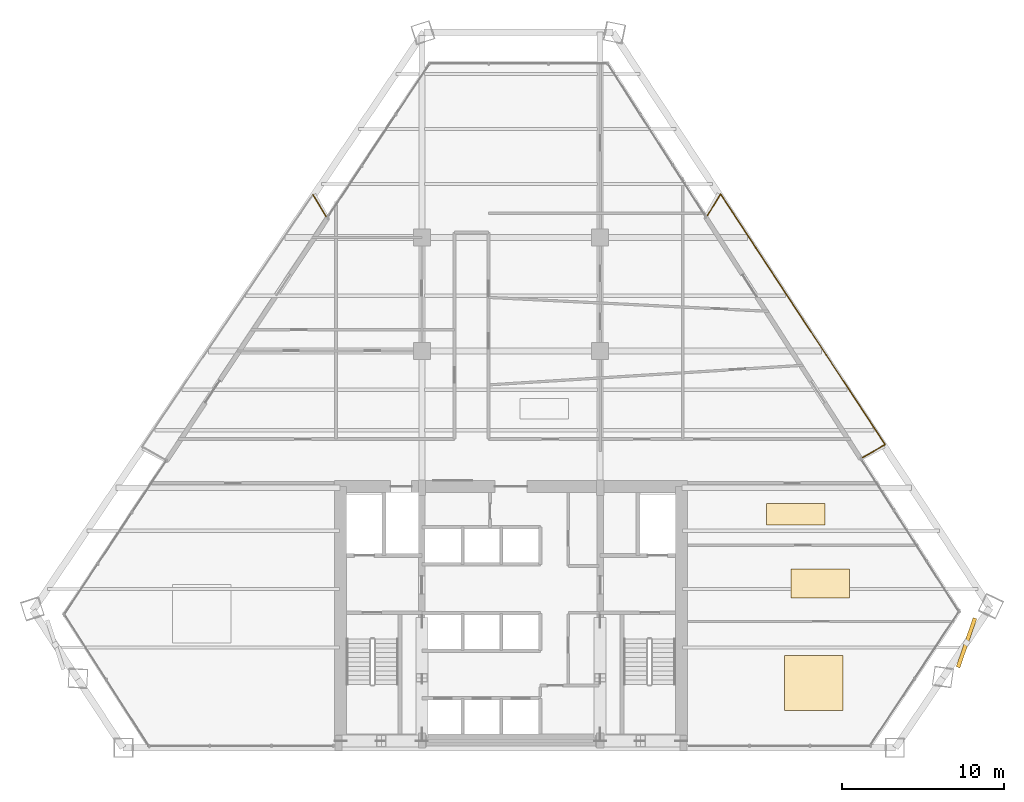
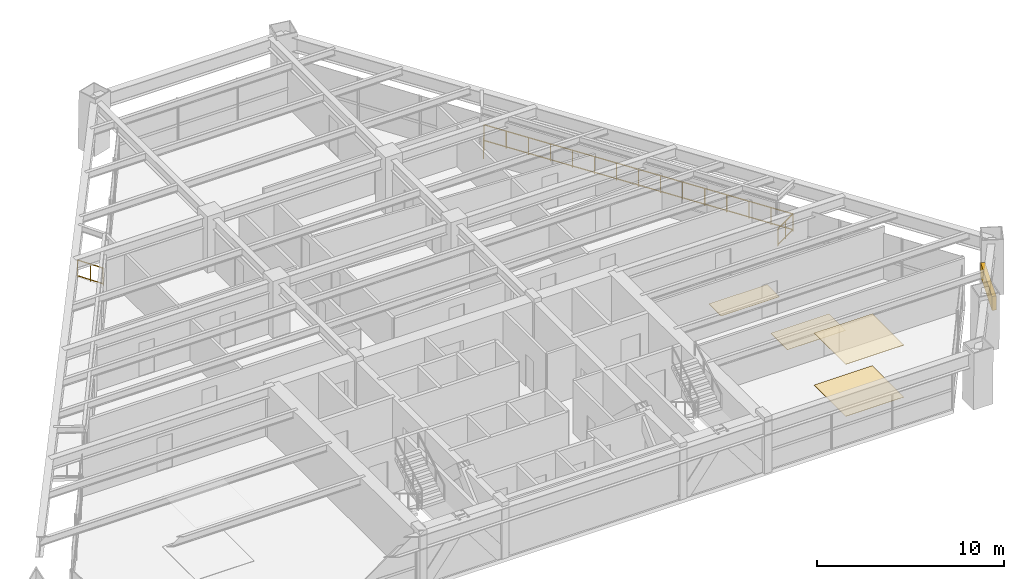
# One storey, part 14 of 14: 4 coverings, 4 railings, 1 shading device.
"""IFC4 building model written with IfcOpenShell, lengths in metres."""

from ifc_helpers import new_model, si_unit, direction, frame, origin, origin_2d, place, context, subcontext, project, spatial, rectangle, extrude, source, transform, mapped, material, layer, layer_set, type_object, type_shapes, element, save


model = new_model("IFC4")

# Units and contexts
model_context = context("Model", 3, precision=1e-05, world=origin(), true_north=direction((0.0, 1.0)))
body_context = subcontext(model_context, "Body", "Model", "MODEL_VIEW")
ifc_project = project(units=[si_unit("LENGTHUNIT", "METRE"), si_unit("AREAUNIT", "SQUARE_METRE"), si_unit("VOLUMEUNIT", "CUBIC_METRE"), si_unit("PLANEANGLEUNIT", "RADIAN"), si_unit("MASSUNIT", "GRAM", prefix="KILO")], contexts=[model_context])

# Site, building, storey
site_placement = place(None, origin())
site = spatial("IfcSite", under=ifc_project, at=site_placement, CompositionType="ELEMENT")
building_placement = place(site_placement, origin())
building = spatial("IfcBuilding", under=site, at=building_placement, Name="Varnakhor Terracotta Tower", CompositionType="ELEMENT")
storey_placement = place(building_placement, frame((0.0, 0.0, 117.300048828125)))
storey = spatial("IfcBuildingStorey", under=building, at=storey_placement, Name="L29", CompositionType="ELEMENT", Elevation=117.300048828125)

# Railings
ifc_material_1 = material(Name="Stainless Steel & Laminated Glass Guardrail", Category="steel")
railing_type = type_object("IfcRailingType", Name="RLG-LOGGIA-GUARD-1150", PredefinedType="GUARDRAIL", material=ifc_material_1)
railing_1_placement = place(storey_placement, frame((12.125732421875, 32.847900390625, 0.0)))
element("IfcRailing", 1, at=railing_1_placement, inside=storey, type_object=railing_type, Name="L29 E Loggia Glass Guard 1", PredefinedType="GUARDRAIL", context=body_context, shape_type="SweptSolid", body=[
    extrude(rectangle(XDim=0.048095703125, YDim=0.048095703125, at=origin_2d()), frame((0.0, 0.0, 1.1259765625), z_axis=(0.517871943117, 0.855458152414, 0.0), x_axis=(-0.855458152414, 0.517871943117, 0.0)), (0.0, 0.0, 1.0), 1.561279296875),
    extrude(rectangle(XDim=0.048095703125, YDim=0.048095703125, at=origin_2d()), frame((0.0, 0.0, 0.10009765625), z_axis=(0.517871943117, 0.855458152414, 0.0), x_axis=(-0.855458152414, 0.517871943117, 0.0)), (0.0, 0.0, 1.0), 1.561279296875),
    extrude(rectangle(XDim=0.0419921875, YDim=0.0419921875, at=origin_2d()), origin(), (0.0, 0.0, 1.0), 1.101806640625),
    extrude(rectangle(XDim=0.0419921875, YDim=0.0419921875, at=origin_2d()), frame((0.404296875, 0.66796875, 0.0)), (0.0, 0.0, 1.0), 1.101806640625),
    extrude(rectangle(XDim=0.0419921875, YDim=0.0419921875, at=origin_2d()), frame((0.80859375, 1.335693359375, 0.0)), (0.0, 0.0, 1.0), 1.101806640625),
])
railing_2_placement = place(storey_placement, frame((12.934326171875, 34.18359375, 0.0)))
element("IfcRailing", 2, at=railing_2_placement, inside=storey, type_object=railing_type, Name="L29 E Loggia Glass Guard 2", PredefinedType="GUARDRAIL", context=body_context, shape_type="SweptSolid", body=[
    extrude(rectangle(XDim=0.048095703125, YDim=0.048095703125, at=origin_2d()), frame((0.0, 0.0, 1.1259765625), z_axis=(0.548751831016, -0.835985303672, 0.0), x_axis=(0.835985303672, 0.548751831016, 0.0)), (0.0, 0.0, 1.0), 18.50390625),
    extrude(rectangle(XDim=0.048095703125, YDim=0.048095703125, at=origin_2d()), frame((0.0, 0.0, 0.10009765625), z_axis=(0.548751831016, -0.835985303672, 0.0), x_axis=(0.835985303672, 0.548751831016, 0.0)), (0.0, 0.0, 1.0), 18.50390625),
    extrude(rectangle(XDim=0.0419921875, YDim=0.0419921875, at=origin_2d()), origin(), (0.0, 0.0, 1.0), 1.101806640625),
    extrude(rectangle(XDim=0.0419921875, YDim=0.0419921875, at=origin_2d()), frame((0.725341796875, -1.10498046875, 0.0)), (0.0, 0.0, 1.0), 1.101806640625),
    extrude(rectangle(XDim=0.0419921875, YDim=0.0419921875, at=origin_2d()), frame((1.45068359375, -2.2099609375, 0.0)), (0.0, 0.0, 1.0), 1.101806640625),
    extrude(rectangle(XDim=0.0419921875, YDim=0.0419921875, at=origin_2d()), frame((2.17578125, -3.314697265625, 0.0)), (0.0, 0.0, 1.0), 1.101806640625),
    extrude(rectangle(XDim=0.0419921875, YDim=0.0419921875, at=origin_2d()), frame((2.901123046875, -4.419677734375, 0.0)), (0.0, 0.0, 1.0), 1.101806640625),
    extrude(rectangle(XDim=0.0419921875, YDim=0.0419921875, at=origin_2d()), frame((3.62646484375, -5.524658203125, 0.0)), (0.0, 0.0, 1.0), 1.101806640625),
    extrude(rectangle(XDim=0.0419921875, YDim=0.0419921875, at=origin_2d()), frame((4.351806640625, -6.629638671875, 0.0)), (0.0, 0.0, 1.0), 1.101806640625),
    extrude(rectangle(XDim=0.0419921875, YDim=0.0419921875, at=origin_2d()), frame((5.0771484375, -7.734375, 0.0)), (0.0, 0.0, 1.0), 1.101806640625),
    extrude(rectangle(XDim=0.0419921875, YDim=0.0419921875, at=origin_2d()), frame((5.80224609375, -8.83935546875, 0.0)), (0.0, 0.0, 1.0), 1.101806640625),
    extrude(rectangle(XDim=0.0419921875, YDim=0.0419921875, at=origin_2d()), frame((6.527587890625, -9.9443359375, 0.0)), (0.0, 0.0, 1.0), 1.101806640625),
    extrude(rectangle(XDim=0.0419921875, YDim=0.0419921875, at=origin_2d()), frame((7.2529296875, -11.04931640625, 0.0)), (0.0, 0.0, 1.0), 1.101806640625),
    extrude(rectangle(XDim=0.0419921875, YDim=0.0419921875, at=origin_2d()), frame((7.978271484375, -12.154296875, 0.0)), (0.0, 0.0, 1.0), 1.101806640625),
    extrude(rectangle(XDim=0.0419921875, YDim=0.0419921875, at=origin_2d()), frame((8.703369140625, -13.259033203125, 0.0)), (0.0, 0.0, 1.0), 1.101806640625),
    extrude(rectangle(XDim=0.0419921875, YDim=0.0419921875, at=origin_2d()), frame((9.4287109375, -14.364013671875, 0.0)), (0.0, 0.0, 1.0), 1.101806640625),
    extrude(rectangle(XDim=0.0419921875, YDim=0.0419921875, at=origin_2d()), frame((10.154052734375, -15.468994140625, 0.0)), (0.0, 0.0, 1.0), 1.101806640625),
])
railing_3_placement = place(storey_placement, frame((23.08837890625, 18.714599609375, 0.0)))
element("IfcRailing", 3, at=railing_3_placement, inside=storey, type_object=railing_type, Name="L29 E Loggia Glass Guard 3", PredefinedType="GUARDRAIL", context=body_context, shape_type="SweptSolid", body=[
    extrude(rectangle(XDim=0.048095703125, YDim=0.048095703125, at=origin_2d()), frame((0.0, 0.0, 1.1259765625), z_axis=(-0.865429757765, -0.501030272912, 0.0), x_axis=(0.501030272912, -0.865429757765, 0.0)), (0.0, 0.0, 1.0), 1.6044921875),
    extrude(rectangle(XDim=0.048095703125, YDim=0.048095703125, at=origin_2d()), frame((0.0, 0.0, 0.10009765625), z_axis=(-0.865429757765, -0.501030272912, 0.0), x_axis=(0.501030272912, -0.865429757765, 0.0)), (0.0, 0.0, 1.0), 1.6044921875),
    extrude(rectangle(XDim=0.0419921875, YDim=0.0419921875, at=origin_2d()), origin(), (0.0, 0.0, 1.0), 1.101806640625),
    extrude(rectangle(XDim=0.0419921875, YDim=0.0419921875, at=origin_2d()), frame((-0.6943359375, -0.40185546875, 0.0)), (0.0, 0.0, 1.0), 1.101806640625),
    extrude(rectangle(XDim=0.0419921875, YDim=0.0419921875, at=origin_2d()), frame((-1.388671875, -0.803955078125, 0.0)), (0.0, 0.0, 1.0), 1.101806640625),
])
railing_4_placement = place(storey_placement, frame((-12.227783203125, 34.13818359375, 0.0)))
element("IfcRailing", 4, at=railing_4_placement, inside=storey, type_object=railing_type, Name="L29 W Loggia Glass Guard 3", PredefinedType="GUARDRAIL", context=body_context, shape_type="SweptSolid", body=[
    extrude(rectangle(XDim=0.048095703125, YDim=0.048095703125, at=origin_2d()), frame((0.0, 0.0, 1.1259765625), z_axis=(0.519545128378, -0.854443011311, 0.0), x_axis=(0.854443011311, 0.519545128378, 0.0)), (0.0, 0.0, 1.0), 1.5615234375),
    extrude(rectangle(XDim=0.048095703125, YDim=0.048095703125, at=origin_2d()), frame((0.0, 0.0, 0.10009765625), z_axis=(0.519545128378, -0.854443011311, 0.0), x_axis=(0.854443011311, 0.519545128378, 0.0)), (0.0, 0.0, 1.0), 1.5615234375),
    extrude(rectangle(XDim=0.0419921875, YDim=0.0419921875, at=origin_2d()), origin(), (0.0, 0.0, 1.0), 1.101806640625),
    extrude(rectangle(XDim=0.0419921875, YDim=0.0419921875, at=origin_2d()), frame((0.40576171875, -0.6669921875, 0.0)), (0.0, 0.0, 1.0), 1.101806640625),
    extrude(rectangle(XDim=0.0419921875, YDim=0.0419921875, at=origin_2d()), frame((0.811279296875, -1.334228515625, 0.0)), (0.0, 0.0, 1.0), 1.101806640625),
])

# Shading device
ifc_material_2 = material(Name="Extruded Architectural Terracotta Screen", Category="masonry")
shading_device_type = type_object("IfcShadingDeviceType", Name="TERRACOTTA SOLAR SCREEN E", PredefinedType="USERDEFINED", material=ifc_material_2)
shared_shape_1 = source(origin(), body_context, "Body", "SweptSolid", [
    extrude(rectangle(XDim=3.199951171875, YDim=0.239990234375, at=origin_2d()), origin(), (0.0, 0.0, 1.0), 0.919921875),
])
type_shapes(shading_device_type, [shared_shape_1])
shading_device_placement = place(storey_placement, frame((28.112548828125, 6.483642578125, 1.587890625), z_axis=(0.0, 0.0, 1.0), x_axis=(0.326723080054, 0.945120113509, 0.0)))
element("IfcShadingDevice", 5, at=shading_device_placement, inside=storey, type_object=shading_device_type, Name="L29 E Terracotta Solar Screen", ObjectType="SCREEN", PredefinedType="USERDEFINED", context=body_context, shape_type="MappedRepresentation", body=[
    mapped(shared_shape_1, transform((0.0, 0.0, 0.0), scale=1.0)),
])

# Coverings
ifc_material_3 = material(Name="Honed Riyadh Limestone Flooring", Category="masonry")
ifc_layer_1 = layer(ifc_material_3, 0.030029296875, Name="Honed Riyadh Limestone Flooring")
ifc_layer_set_1 = layer_set([ifc_layer_1], Name="Honed Riyadh Limestone Flooring")
covering_type_1 = type_object("IfcCoveringType", Name="COV-FLOOR-LIMESTONE", PredefinedType="FLOORING", material=ifc_layer_set_1)
shared_shape_2 = source(origin(), body_context, "Body", "SweptSolid", [
    extrude(rectangle(XDim=3.60009765625, YDim=1.785888671875, at=origin_2d()), origin(), (0.0, 0.0, 1.0), 0.02001953125),
])
covering_1_placement = place(storey_placement, frame((19.090087890625, 10.14990234375, 0.0), z_axis=(0.0, 0.0, 1.0), x_axis=(1.0, 0.0, 0.0)))
element("IfcCovering", 6, at=covering_1_placement, inside=storey, type_object=covering_type_1, Name="L29 Honed Stone Flooring 3", PredefinedType="FLOORING", context=body_context, shape_type="MappedRepresentation", body=[
    mapped(shared_shape_2, transform((0.0, 0.0, 0.0), scale=1.0)),
])
shared_shape_3 = source(origin(), body_context, "Body", "SweptSolid", [
    extrude(rectangle(XDim=3.60009765625, YDim=3.37890625, at=origin_2d()), origin(), (0.0, 0.0, 1.0), 0.02001953125),
])
covering_2_placement = place(storey_placement, frame((18.681884765625, 4.001953125, 0.0), z_axis=(0.0, 0.0, 1.0), x_axis=(1.0, 0.0, 0.0)))
element("IfcCovering", 7, at=covering_2_placement, inside=storey, type_object=covering_type_1, Name="L29 Honed Stone Flooring 1", PredefinedType="FLOORING", context=body_context, shape_type="MappedRepresentation", body=[
    mapped(shared_shape_3, transform((0.0, 0.0, 0.0), scale=1.0)),
])
ifc_material_4 = material(Name="Perforated Acoustic Mineral-Fibre Ceiling", Category="gypsum")
ifc_layer_2 = layer(ifc_material_4, 0.02490234375, Name="Perforated Acoustic Mineral-Fibre Ceiling")
ifc_layer_set_2 = layer_set([ifc_layer_2], Name="Perforated Acoustic Mineral-Fibre Ceiling")
covering_type_2 = type_object("IfcCoveringType", Name="COV-CEILING-ACOUSTIC", PredefinedType="CEILING", material=ifc_layer_set_2)
shared_shape_4 = source(origin(), body_context, "Body", "SweptSolid", [
    extrude(rectangle(XDim=3.60009765625, YDim=3.37890625, at=origin_2d()), origin(), (0.0, 0.0, 1.0), 0.02392578125),
])
covering_3_placement = place(storey_placement, frame((18.681884765625, 4.001953125, 3.39599609375), z_axis=(0.0, 0.0, 1.0), x_axis=(1.0, 0.0, 0.0)))
element("IfcCovering", 8, at=covering_3_placement, inside=storey, type_object=covering_type_2, Name="L29 Acoustic Ceiling Panel 1", PredefinedType="CEILING", context=body_context, shape_type="MappedRepresentation", body=[
    mapped(shared_shape_4, transform((0.0, 0.0, 0.0), scale=1.0)),
])
shared_shape_5 = source(origin(), body_context, "Body", "SweptSolid", [
    extrude(rectangle(XDim=3.60009765625, YDim=1.306884765625, at=origin_2d()), origin(), (0.0, 0.0, 1.0), 0.02001953125),
])
covering_4_placement = place(storey_placement, frame((17.583984375, 14.4140625, 0.0), z_axis=(0.0, 0.0, 1.0), x_axis=(1.0, 0.0, 0.0)))
element("IfcCovering", 9, at=covering_4_placement, inside=storey, type_object=covering_type_1, Name="L29 Honed Stone Flooring 4", PredefinedType="FLOORING", context=body_context, shape_type="MappedRepresentation", body=[
    mapped(shared_shape_5, transform((0.0, 0.0, 0.0), scale=1.0)),
])

save(model, "model.ifc")
